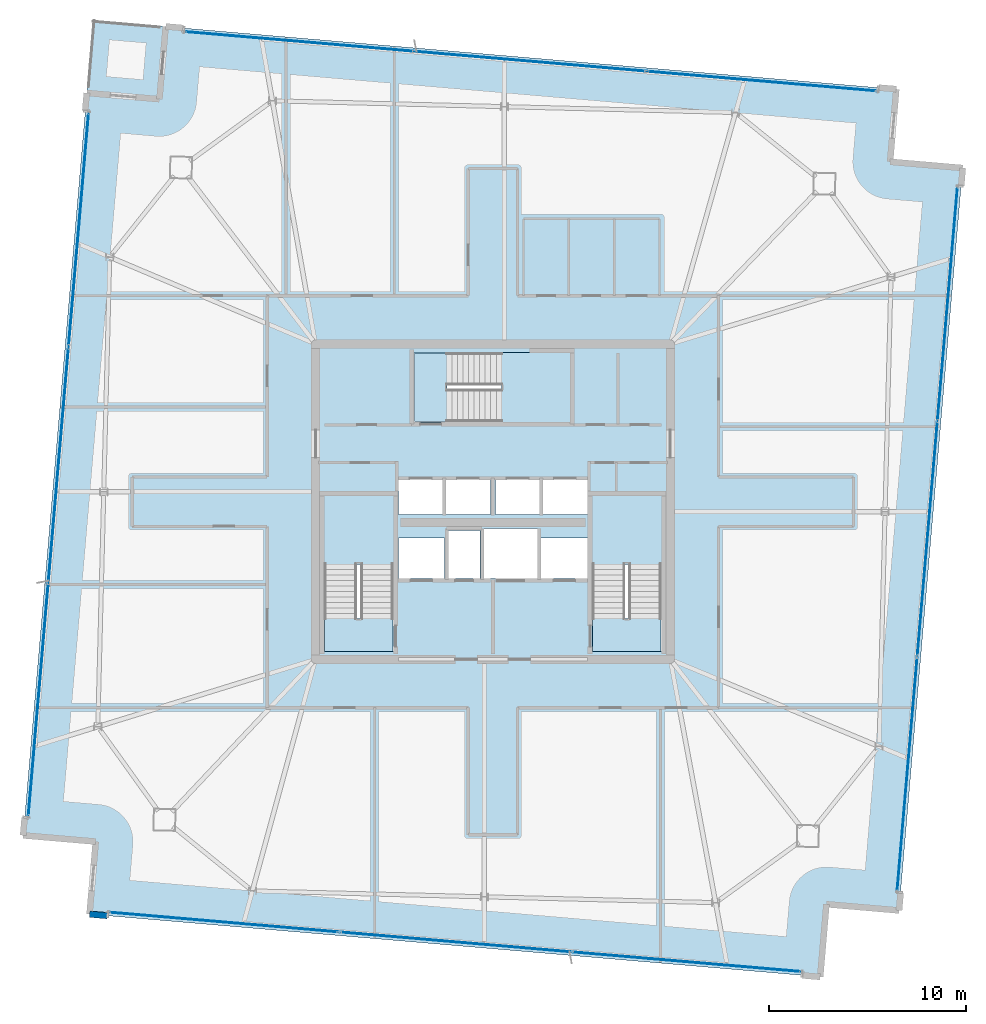
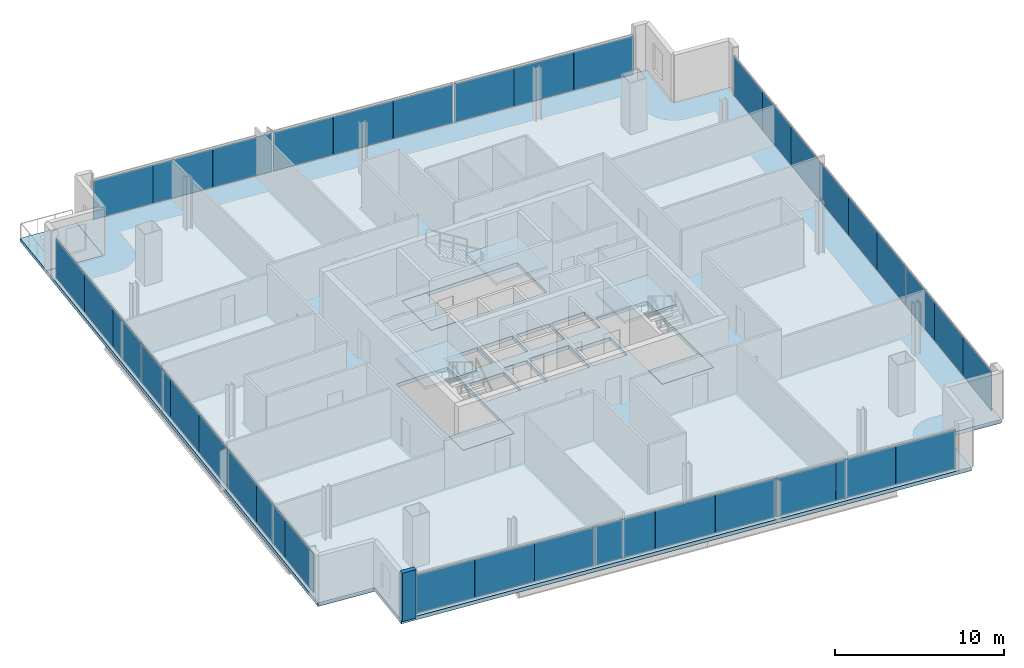
# One storey, part 18 of 24: 36 plates, 8 slabs, 1 wall, 7 elements without a shape of their own.
"""IFC4 building model written with IfcOpenShell, lengths in metres."""

from ifc_helpers import new_model, si_unit, direction, frame, frame_2d, origin, origin_2d, place, context, subcontext, project, spatial, polyline, rectangle, outline, extrude, source, transform, mapped, material, layer, layer_set, type_object, element, aggregate, save


model = new_model("IFC4")

# Units and contexts
model_context = context("Model", 3, precision=1e-05, world=origin(), true_north=direction((0.0, 1.0)))
body_context = subcontext(model_context, "Body", "Model", "MODEL_VIEW")
ifc_project = project(units=[si_unit("LENGTHUNIT", "METRE"), si_unit("AREAUNIT", "SQUARE_METRE"), si_unit("VOLUMEUNIT", "CUBIC_METRE"), si_unit("PLANEANGLEUNIT", "RADIAN"), si_unit("MASSUNIT", "GRAM", prefix="KILO")], contexts=[model_context])

# Site, building, storey
site_placement = place(None, origin())
site = spatial("IfcSite", under=ifc_project, at=site_placement, CompositionType="ELEMENT")
building_placement = place(site_placement, origin())
building = spatial("IfcBuilding", under=site, at=building_placement, Name="Haldenkirk Collegiate Tower", CompositionType="ELEMENT")
storey_placement = place(building_placement, frame((0.0, 0.0, 313.949951171875)))
storey = spatial("IfcBuildingStorey", under=building, at=storey_placement, Name="L79", CompositionType="ELEMENT", Elevation=313.949951171875)

# Slab
ifc_material_1 = material(Name="Concrete f'c 40 MPa", Category="concrete")
ifc_layer_1 = layer(ifc_material_1, 0.260009765625)
ifc_layer_set_1 = layer_set([ifc_layer_1], Name="Concrete f'c 40 MPa")
slab_type_1 = type_object("IfcSlabType", Name="SLB-FLR-260", PredefinedType="FLOOR", material=ifc_layer_set_1)
slab_1_placement = place(storey_placement, frame((0.0, 0.0, -0.260009765625)))
element("IfcSlab", 1, at=slab_1_placement, inside=storey, type_object=slab_type_1, Name="L79 composite structural floor slab", PredefinedType="FLOOR", context=body_context, shape_type="SweptSolid", body=[
    extrude(outline(polyline([(56.60400390625, 5.264404296875), (59.8330078125, 42.926025390625), (56.146484375, 43.2421875), (56.46240234375, 46.9287109375), (19.3984375, 50.106201171875), (19.08251953125, 46.419677734375), (15.39599609375, 46.735595703125), (12.1669921875, 9.073974609375), (15.853515625, 8.7578125), (15.53759765625, 5.0712890625), (52.6015625, 1.893798828125), (52.91748046875, 5.580322265625), (56.60400390625, 5.264404296875)]), holes=[polyline([(27.449951171875, 18.39990234375), (30.949951171875, 18.39990234375), (30.949951171875, 26.300048828125), (27.449951171875, 26.300048828125), (27.449951171875, 18.39990234375)]), polyline([(41.050048828125, 18.39990234375), (44.550048828125, 18.39990234375), (44.550048828125, 26.300048828125), (41.050048828125, 26.300048828125), (41.050048828125, 18.39990234375)]), polyline([(32.0, 30.050048828125), (39.89990234375, 30.050048828125), (39.89990234375, 33.550048828125), (32.0, 33.550048828125), (32.0, 30.050048828125)]), polyline([(33.75, 22.10009765625), (35.35009765625, 22.10009765625), (35.35009765625, 24.550048828125), (33.75, 24.550048828125), (33.75, 22.10009765625)]), polyline([(31.199951171875, 25.35009765625), (33.47998046875, 25.35009765625), (33.47998046875, 27.14990234375), (31.199951171875, 27.14990234375), (31.199951171875, 25.35009765625)]), polyline([(33.60009765625, 25.35009765625), (35.8798828125, 25.35009765625), (35.8798828125, 27.14990234375), (33.60009765625, 27.14990234375), (33.60009765625, 25.35009765625)]), polyline([(36.1201171875, 25.35009765625), (38.39990234375, 25.35009765625), (38.39990234375, 27.14990234375), (36.1201171875, 27.14990234375), (36.1201171875, 25.35009765625)]), polyline([(38.52001953125, 25.35009765625), (40.800048828125, 25.35009765625), (40.800048828125, 27.14990234375), (38.52001953125, 27.14990234375), (38.52001953125, 25.35009765625)]), polyline([(31.199951171875, 22.10009765625), (33.550048828125, 22.10009765625), (33.550048828125, 24.14990234375), (31.199951171875, 24.14990234375), (31.199951171875, 22.10009765625)]), polyline([(38.449951171875, 22.10009765625), (40.800048828125, 22.10009765625), (40.800048828125, 24.14990234375), (38.449951171875, 24.14990234375), (38.449951171875, 22.10009765625)]), polyline([(35.550048828125, 22.10009765625), (38.25, 22.10009765625), (38.25, 24.64990234375), (35.550048828125, 24.64990234375), (35.550048828125, 22.10009765625)])]), origin(), (0.0, 0.0, 1.0), 0.260009765625),
])

# Stair, slab
stair_type = type_object("IfcStairType", Name="STR-DOGLEG-1650", PredefinedType="HALF_TURN_STAIR", material=ifc_material_1)
stair_1_placement = place(storey_placement, origin())
stair_1 = element("IfcStair", 2, at=stair_1_placement, inside=storey, type_object=stair_type, Name="L79 Core Exit Stair ST-1", PredefinedType="HALF_TURN_STAIR")
ifc_layer_2 = layer(ifc_material_1, 0.199951171875)
ifc_layer_set_2 = layer_set([ifc_layer_2], Name="Concrete f'c 40 MPa")
slab_type_2 = type_object("IfcSlabType", Name="SLB-LANDING-200", PredefinedType="LANDING", material=ifc_layer_set_2)
slab_2_placement = place(storey_placement, frame((0.0, 0.0, 1.675048828125)))
slab_2 = element("IfcSlab", 3, at=slab_2_placement, type_object=slab_type_2, Name="ST-1 landing 1", PredefinedType="LANDING", context=body_context, shape_type="SweptSolid", body=[
    extrude(outline(polyline([(30.97509765625, 22.824951171875), (27.425048828125, 22.824951171875), (27.425048828125, 26.324951171875), (30.97509765625, 26.324951171875), (30.97509765625, 22.824951171875)])), origin(), (0.0, 0.0, 1.0), 0.199951171875),
])
aggregate(stair_1, [slab_2])

stair_2_placement = place(storey_placement, origin())
stair_2 = element("IfcStair", 4, at=stair_2_placement, inside=storey, type_object=stair_type, Name="L79 Core Exit Stair ST-2", PredefinedType="HALF_TURN_STAIR")
slab_3_placement = place(storey_placement, frame((0.0, 0.0, 1.675048828125)))
slab_3 = element("IfcSlab", 5, at=slab_3_placement, type_object=slab_type_2, Name="ST-2 landing 1", PredefinedType="LANDING", context=body_context, shape_type="SweptSolid", body=[
    extrude(outline(polyline([(44.574951171875, 22.824951171875), (41.02490234375, 22.824951171875), (41.02490234375, 26.324951171875), (44.574951171875, 26.324951171875), (44.574951171875, 22.824951171875)])), origin(), (0.0, 0.0, 1.0), 0.199951171875),
])
aggregate(stair_2, [slab_3])

stair_3_placement = place(storey_placement, origin())
stair_3 = element("IfcStair", 6, at=stair_3_placement, inside=storey, type_object=stair_type, Name="L79 Core Exit Stair ST-3", PredefinedType="HALF_TURN_STAIR")
slab_4_placement = place(storey_placement, frame((0.0, 0.0, 1.675048828125)))
slab_4 = element("IfcSlab", 7, at=slab_4_placement, type_object=slab_type_2, Name="ST-3 landing 1", PredefinedType="LANDING", context=body_context, shape_type="SweptSolid", body=[
    extrude(outline(polyline([(36.425048828125, 30.02490234375), (36.425048828125, 33.574951171875), (39.925048828125, 33.574951171875), (39.925048828125, 30.02490234375), (36.425048828125, 30.02490234375)])), origin(), (0.0, 0.0, 1.0), 0.199951171875),
])
aggregate(stair_3, [slab_4])

# Slabs
ifc_layer_3 = layer(ifc_material_1, 0.25)
ifc_layer_set_3 = layer_set([ifc_layer_3], Name="Concrete f'c 40 MPa")
slab_type_3 = type_object("IfcSlabType", Name="SLB-STAIRLAND-250", PredefinedType="LANDING", material=ifc_layer_set_3)
slab_5_placement = place(storey_placement, frame((0.0, 0.0, -0.25)))
element("IfcSlab", 8, at=slab_5_placement, inside=storey, type_object=slab_type_3, Name="L79 stair ST1 structural floor landing slab", PredefinedType="LANDING", context=body_context, shape_type="SweptSolid", body=[
    extrude(outline(polyline([(27.4599609375, 18.409912109375), (30.93994140625, 18.409912109375), (30.93994140625, 20.080078125), (27.4599609375, 20.080078125), (27.4599609375, 18.409912109375)])), origin(), (0.0, 0.0, 1.0), 0.25),
])
slab_6_placement = place(storey_placement, frame((0.0, 0.0, -0.25)))
element("IfcSlab", 9, at=slab_6_placement, inside=storey, type_object=slab_type_3, Name="L79 stair ST2 structural floor landing slab", PredefinedType="LANDING", context=body_context, shape_type="SweptSolid", body=[
    extrude(outline(polyline([(41.06005859375, 18.409912109375), (44.5400390625, 18.409912109375), (44.5400390625, 20.080078125), (41.06005859375, 20.080078125), (41.06005859375, 18.409912109375)])), origin(), (0.0, 0.0, 1.0), 0.25),
])
slab_7_placement = place(storey_placement, frame((0.0, 0.0, -0.25)))
element("IfcSlab", 10, at=slab_7_placement, inside=storey, type_object=slab_type_3, Name="L79 stair ST3 structural floor landing slab", PredefinedType="LANDING", context=body_context, shape_type="SweptSolid", body=[
    extrude(outline(polyline([(32.010009765625, 30.06005859375), (33.679931640625, 30.06005859375), (33.679931640625, 33.5400390625), (32.010009765625, 33.5400390625), (32.010009765625, 30.06005859375)])), origin(), (0.0, 0.0, 1.0), 0.25),
])
ifc_layer_4 = layer(ifc_material_1, 0.22998046875)
ifc_layer_set_4 = layer_set([ifc_layer_4], Name="Concrete f'c 40 MPa")
slab_type_4 = type_object("IfcSlabType", Name="SLB-TERR-SPIRAL-230", PredefinedType="FLOOR", material=ifc_layer_set_4)
slab_8_placement = place(storey_placement, frame((0.0, 0.0, -0.22998046875)))
element("IfcSlab", 11, at=slab_8_placement, inside=storey, type_object=slab_type_4, Name="L79 spiralling corner terrace slab", PredefinedType="FLOOR", context=body_context, shape_type="SweptSolid", body=[
    extrude(outline(polyline([(19.08251953125, 46.419677734375), (19.3984375, 50.106201171875), (15.7119140625, 50.422119140625), (15.39599609375, 46.735595703125), (19.08251953125, 46.419677734375)])), origin(), (0.0, 0.0, 1.0), 0.22998046875),
])

# Curtain wall, plates
ifc_material_2 = material(Name="Anodised architectural bronze aluminium", Category="aluminium")
curtain_wall_type_1 = type_object("IfcCurtainWallType", Name="CW-SYS2-CONCAVE", PredefinedType="USERDEFINED", material=ifc_material_2)
curtain_wall_1_placement = place(storey_placement, origin())
curtain_wall_1 = element("IfcCurtainWall", 12, at=curtain_wall_1_placement, inside=storey, type_object=curtain_wall_type_1, Name="L79 South concave recessed bronze-anodised curtain wall", ObjectType="UNITISED CURTAIN WALL", PredefinedType="USERDEFINED")
ifc_material_3 = material(Name="Bronze-anodised insulated aluminium spandrel panel", Category="aluminium")
ifc_layer_5 = layer(ifc_material_3, 0.0419921875)
ifc_layer_set_5 = layer_set([ifc_layer_5], Name="Bronze-anodised insulated aluminium spandrel panel")
plate_type_1 = type_object("IfcPlateType", Name="CW-SPD-02", PredefinedType="CURTAIN_PANEL", material=ifc_layer_set_5)
shared_shape_1 = source(origin(), body_context, "Body", "SweptSolid", [
    extrude(rectangle(XDim=3.96240234375, YDim=0.0419921875, at=origin_2d()), origin(), (0.0, 0.0, 1.0), 2.798095703125),
])
plate_1_placement = place(storey_placement, frame((58.37939453125, 28.077392578125, 0.0751953125), z_axis=(0.0, 0.0, 1.0), x_axis=(-0.085416741017, -0.996345311804, 0.0)))
plate_1 = element("IfcPlate", 13, at=plate_1_placement, type_object=plate_type_1, Name="CW-02 spandrel panel 2.1a", PredefinedType="CURTAIN_PANEL", context=body_context, shape_type="MappedRepresentation", body=[
    mapped(shared_shape_1, transform((0.0, 0.0, 0.0), x_axis=(1.0, 0.0, 0.0), y_axis=(0.0, 1.0, 0.0), z_axis=(0.0, 0.0, 1.0), scale=1.0)),
])
plate_2_placement = place(storey_placement, frame((57.69921875, 20.143798828125, 0.0751953125), z_axis=(0.0, 0.0, 1.0), x_axis=(-0.085416741017, -0.996345311804, 0.0)))
plate_2 = element("IfcPlate", 14, at=plate_2_placement, type_object=plate_type_1, Name="CW-02 spandrel panel 2.1c", PredefinedType="CURTAIN_PANEL", context=body_context, shape_type="MappedRepresentation", body=[
    mapped(shared_shape_1, transform((0.0, 0.0, 0.0), x_axis=(1.0, 0.0, 0.0), y_axis=(0.0, 1.0, 0.0), z_axis=(0.0, 0.0, 1.0), scale=1.0)),
])
ifc_material_4 = material(Name="Low-E argon triple insulating glass", Category="glass")
ifc_layer_6 = layer(ifc_material_4, 0.0419921875)
ifc_layer_set_6 = layer_set([ifc_layer_6], Name="Low-E argon triple insulating glass")
plate_type_2 = type_object("IfcPlateType", Name="CW-PNL-02", PredefinedType="CURTAIN_PANEL", material=ifc_layer_set_6)
shared_shape_2 = source(origin(), body_context, "Body", "SweptSolid", [
    extrude(rectangle(XDim=3.949951171875, YDim=0.0419921875, at=origin_2d()), origin(), (0.0, 0.0, 1.0), 2.798095703125),
])
plate_3_placement = place(storey_placement, frame((59.401611328125, 40.002197265625, 0.0751953125), z_axis=(0.0, 0.0, 1.0), x_axis=(-0.085416741017, -0.996345311804, 0.0)))
plate_3 = element("IfcPlate", 15, at=plate_3_placement, type_object=plate_type_2, Name="CW-02 panel 1.1a", PredefinedType="CURTAIN_PANEL", context=body_context, shape_type="MappedRepresentation", body=[
    mapped(shared_shape_2, transform((0.0, 0.0, 0.0), x_axis=(1.0, 0.0, 0.0), y_axis=(0.0, 1.0, 0.0), z_axis=(0.0, 0.0, 1.0), scale=1.0)),
])
plate_4_placement = place(storey_placement, frame((58.7236328125, 32.09375, 0.0751953125), z_axis=(0.0, 0.0, 1.0), x_axis=(-0.085416741017, -0.996345311804, 0.0)))
plate_4 = element("IfcPlate", 16, at=plate_4_placement, type_object=plate_type_1, Name="CW-02 spandrel panel 1.1c", PredefinedType="CURTAIN_PANEL", context=body_context, shape_type="MappedRepresentation", body=[
    mapped(shared_shape_2, transform((0.0, 0.0, 0.0), x_axis=(1.0, 0.0, 0.0), y_axis=(0.0, 1.0, 0.0), z_axis=(0.0, 0.0, 1.0), scale=1.0)),
])
plate_5_placement = place(storey_placement, frame((58.039306640625, 24.110595703125, 0.0751953125), z_axis=(0.0, 0.0, 1.0), x_axis=(-0.085416741017, -0.996345311804, 0.0)))
plate_5 = element("IfcPlate", 17, at=plate_5_placement, type_object=plate_type_2, Name="CW-02 panel 2.1b", PredefinedType="CURTAIN_PANEL", context=body_context, shape_type="MappedRepresentation", body=[
    mapped(shared_shape_2, transform((0.0, 0.0, 0.0), x_axis=(1.0, 0.0, 0.0), y_axis=(0.0, 1.0, 0.0), z_axis=(0.0, 0.0, 1.0), scale=1.0)),
])
plate_6_placement = place(storey_placement, frame((57.354736328125, 16.12744140625, 0.0751953125), z_axis=(0.0, 0.0, 1.0), x_axis=(-0.085416741017, -0.996345311804, 0.0)))
plate_6 = element("IfcPlate", 18, at=plate_6_placement, type_object=plate_type_1, Name="CW-02 spandrel panel 3.1a", PredefinedType="CURTAIN_PANEL", context=body_context, shape_type="MappedRepresentation", body=[
    mapped(shared_shape_2, transform((0.0, 0.0, 0.0), x_axis=(1.0, 0.0, 0.0), y_axis=(0.0, 1.0, 0.0), z_axis=(0.0, 0.0, 1.0), scale=1.0)),
])
plate_7_placement = place(storey_placement, frame((56.6767578125, 8.218994140625, 0.0751953125), z_axis=(0.0, 0.0, 1.0), x_axis=(-0.085416741017, -0.996345311804, 0.0)))
plate_7 = element("IfcPlate", 19, at=plate_7_placement, type_object=plate_type_2, Name="CW-02 panel 3.1c", PredefinedType="CURTAIN_PANEL", context=body_context, shape_type="MappedRepresentation", body=[
    mapped(shared_shape_2, transform((0.0, 0.0, 0.0), x_axis=(1.0, 0.0, 0.0), y_axis=(0.0, 1.0, 0.0), z_axis=(0.0, 0.0, 1.0), scale=1.0)),
])

curtain_wall_type_2 = type_object("IfcCurtainWallType", Name="CW-SYS1B-CONVEX-HI", PredefinedType="USERDEFINED", material=ifc_material_2)
curtain_wall_2_placement = place(storey_placement, origin())
curtain_wall_2 = element("IfcCurtainWall", 20, at=curtain_wall_2_placement, inside=storey, type_object=curtain_wall_type_2, Name="L79 Upper tower high-wind convex bronze unitised curtain wall", ObjectType="UNITISED CURTAIN WALL", PredefinedType="USERDEFINED")
ifc_layer_7 = layer(ifc_material_3, 0.048095703125)
ifc_layer_set_7 = layer_set([ifc_layer_7], Name="Bronze-anodised insulated aluminium spandrel panel")
plate_type_3 = type_object("IfcPlateType", Name="CW-SPD-1B", PredefinedType="CURTAIN_PANEL", material=ifc_layer_set_7)
shared_shape_3 = source(origin(), body_context, "Body", "SweptSolid", [
    extrude(rectangle(XDim=3.892578125, YDim=0.048095703125, at=origin_2d()), origin(), (0.0, 0.0, 1.0), 2.778076171875),
])
plate_8_placement = place(storey_placement, frame((34.01806640625, 48.672119140625, 0.0849609375), z_axis=(0.0, 0.0, 1.0), x_axis=(0.996345192973, -0.085418127117, 0.0)))
plate_8 = element("IfcPlate", 21, at=plate_8_placement, type_object=plate_type_3, Name="CW-1B spandrel panel 2.1a", PredefinedType="CURTAIN_PANEL", context=body_context, shape_type="MappedRepresentation", body=[
    mapped(shared_shape_3, transform((0.0, 0.0, 0.0), x_axis=(1.0, 0.0, 0.0), y_axis=(0.0, 1.0, 0.0), z_axis=(0.0, 0.0, 1.0), scale=1.0)),
])
plate_9_placement = place(storey_placement, frame((41.81201171875, 48.00390625, 0.0849609375), z_axis=(0.0, 0.0, 1.0), x_axis=(0.996345192973, -0.085418127117, 0.0)))
plate_9 = element("IfcPlate", 22, at=plate_9_placement, type_object=plate_type_3, Name="CW-1B spandrel panel 2.1c", PredefinedType="CURTAIN_PANEL", context=body_context, shape_type="MappedRepresentation", body=[
    mapped(shared_shape_3, transform((0.0, 0.0, 0.0), x_axis=(1.0, 0.0, 0.0), y_axis=(0.0, 1.0, 0.0), z_axis=(0.0, 0.0, 1.0), scale=1.0)),
])

curtain_wall_3_placement = place(storey_placement, origin())
curtain_wall_3 = element("IfcCurtainWall", 23, at=curtain_wall_3_placement, inside=storey, type_object=curtain_wall_type_2, Name="L79 Upper tower high-wind convex bronze unitised curtain wall", ObjectType="UNITISED CURTAIN WALL", PredefinedType="USERDEFINED")
plate_10_placement = place(storey_placement, frame((37.98193359375, 3.327880859375, 0.0849609375), z_axis=(0.0, 0.0, 1.0), x_axis=(-0.996345192973, 0.085418127117, 0.0)))
plate_10 = element("IfcPlate", 24, at=plate_10_placement, type_object=plate_type_3, Name="CW-1B spandrel panel 2.1a", PredefinedType="CURTAIN_PANEL", context=body_context, shape_type="MappedRepresentation", body=[
    mapped(shared_shape_3, transform((0.0, 0.0, 0.0), x_axis=(1.0, 0.0, 0.0), y_axis=(0.0, 1.0, 0.0), z_axis=(0.0, 0.0, 1.0), scale=1.0)),
])
plate_11_placement = place(storey_placement, frame((30.18798828125, 3.99609375, 0.0849609375), z_axis=(0.0, 0.0, 1.0), x_axis=(-0.996345192973, 0.085418127117, 0.0)))
plate_11 = element("IfcPlate", 25, at=plate_11_placement, type_object=plate_type_3, Name="CW-1B spandrel panel 2.1c", PredefinedType="CURTAIN_PANEL", context=body_context, shape_type="MappedRepresentation", body=[
    mapped(shared_shape_3, transform((0.0, 0.0, 0.0), x_axis=(1.0, 0.0, 0.0), y_axis=(0.0, 1.0, 0.0), z_axis=(0.0, 0.0, 1.0), scale=1.0)),
])

# Plate
ifc_layer_8 = layer(ifc_material_4, 0.048095703125)
ifc_layer_set_8 = layer_set([ifc_layer_8], Name="Low-E argon triple insulating glass")
plate_type_4 = type_object("IfcPlateType", Name="CW-PNL-1B", PredefinedType="CURTAIN_PANEL", material=ifc_layer_set_8)
shared_shape_4 = source(origin(), body_context, "Body", "SweptSolid", [
    extrude(rectangle(XDim=3.8798828125, YDim=0.048095703125, at=origin_2d()), origin(), (0.0, 0.0, 1.0), 2.778076171875),
])
plate_12_placement = place(storey_placement, frame((37.9150390625, 48.338134765625, 0.0849609375), z_axis=(0.0, 0.0, 1.0), x_axis=(0.996345192973, -0.085418127117, 0.0)))
plate_12 = element("IfcPlate", 26, at=plate_12_placement, type_object=plate_type_4, Name="CW-1B panel 2.1b", PredefinedType="CURTAIN_PANEL", context=body_context, shape_type="MappedRepresentation", body=[
    mapped(shared_shape_4, transform((0.0, 0.0, 0.0), x_axis=(1.0, 0.0, 0.0), y_axis=(0.0, 1.0, 0.0), z_axis=(0.0, 0.0, 1.0), scale=1.0)),
])

plate_13_placement = place(storey_placement, frame((34.0849609375, 3.661865234375, 0.0849609375), z_axis=(0.0, 0.0, 1.0), x_axis=(-0.996345192973, 0.085418127117, 0.0)))
plate_13 = element("IfcPlate", 27, at=plate_13_placement, type_object=plate_type_4, Name="CW-1B panel 2.1b", PredefinedType="CURTAIN_PANEL", context=body_context, shape_type="MappedRepresentation", body=[
    mapped(shared_shape_4, transform((0.0, 0.0, 0.0), x_axis=(1.0, 0.0, 0.0), y_axis=(0.0, 1.0, 0.0), z_axis=(0.0, 0.0, 1.0), scale=1.0)),
])

# Curtain wall, plates
curtain_wall_4_placement = place(storey_placement, origin())
curtain_wall_4 = element("IfcCurtainWall", 28, at=curtain_wall_4_placement, inside=storey, type_object=curtain_wall_type_2, Name="L79 Upper tower high-wind convex bronze unitised curtain wall", ObjectType="UNITISED CURTAIN WALL", PredefinedType="USERDEFINED")
shared_shape_5 = source(origin(), body_context, "Body", "SweptSolid", [
    extrude(rectangle(XDim=3.959228515625, YDim=0.048095703125, at=origin_2d()), origin(), (0.0, 0.0, 1.0), 2.778076171875),
])
plate_14_placement = place(storey_placement, frame((13.62109375, 23.926025390625, 0.0849609375), z_axis=(0.0, 0.0, 1.0), x_axis=(0.085416741017, 0.996345311804, 0.0)))
plate_14 = element("IfcPlate", 29, at=plate_14_placement, type_object=plate_type_3, Name="CW-1B spandrel panel 2.1a", PredefinedType="CURTAIN_PANEL", context=body_context, shape_type="MappedRepresentation", body=[
    mapped(shared_shape_5, transform((0.0, 0.0, 0.0), x_axis=(1.0, 0.0, 0.0), y_axis=(0.0, 1.0, 0.0), z_axis=(0.0, 0.0, 1.0), scale=1.0)),
])
plate_15_placement = place(storey_placement, frame((14.300537109375, 31.852783203125, 0.0849609375), z_axis=(0.0, 0.0, 1.0), x_axis=(0.085416741017, 0.996345311804, 0.0)))
plate_15 = element("IfcPlate", 30, at=plate_15_placement, type_object=plate_type_3, Name="CW-1B spandrel panel 2.1c", PredefinedType="CURTAIN_PANEL", context=body_context, shape_type="MappedRepresentation", body=[
    mapped(shared_shape_5, transform((0.0, 0.0, 0.0), x_axis=(1.0, 0.0, 0.0), y_axis=(0.0, 1.0, 0.0), z_axis=(0.0, 0.0, 1.0), scale=1.0)),
])
shared_shape_6 = source(origin(), body_context, "Body", "SweptSolid", [
    extrude(rectangle(XDim=3.94677734375, YDim=0.048095703125, at=origin_2d()), origin(), (0.0, 0.0, 1.0), 2.778076171875),
])
plate_16_placement = place(storey_placement, frame((13.960693359375, 27.889404296875, 0.0849609375), z_axis=(0.0, 0.0, 1.0), x_axis=(0.085416741017, 0.996345311804, 0.0)))
plate_16 = element("IfcPlate", 31, at=plate_16_placement, type_object=plate_type_4, Name="CW-1B panel 2.1b", PredefinedType="CURTAIN_PANEL", context=body_context, shape_type="MappedRepresentation", body=[
    mapped(shared_shape_6, transform((0.0, 0.0, 0.0), x_axis=(1.0, 0.0, 0.0), y_axis=(0.0, 1.0, 0.0), z_axis=(0.0, 0.0, 1.0), scale=1.0)),
])

# Plate
shared_shape_7 = source(origin(), body_context, "Body", "SweptSolid", [
    extrude(rectangle(XDim=3.9375, YDim=0.0419921875, at=origin_2d()), origin(), (0.0, 0.0, 1.0), 2.798095703125),
])
plate_17_placement = place(storey_placement, frame((59.0625, 36.048095703125, 0.0751953125), z_axis=(0.0, 0.0, 1.0), x_axis=(-0.085416741017, -0.996345311804, 0.0)))
plate_17 = element("IfcPlate", 32, at=plate_17_placement, type_object=plate_type_2, Name="CW-02 panel 1.1b", PredefinedType="CURTAIN_PANEL", context=body_context, shape_type="MappedRepresentation", body=[
    mapped(shared_shape_7, transform((0.0, 0.0, 0.0), x_axis=(1.0, 0.0, 0.0), y_axis=(0.0, 1.0, 0.0), z_axis=(0.0, 0.0, 1.0), scale=1.0)),
])

plate_18_placement = place(storey_placement, frame((57.015869140625, 12.173095703125, 0.0751953125), z_axis=(0.0, 0.0, 1.0), x_axis=(-0.085416741017, -0.996345311804, 0.0)))
plate_18 = element("IfcPlate", 33, at=plate_18_placement, type_object=plate_type_2, Name="CW-02 panel 3.1b", PredefinedType="CURTAIN_PANEL", context=body_context, shape_type="MappedRepresentation", body=[
    mapped(shared_shape_7, transform((0.0, 0.0, 0.0), x_axis=(1.0, 0.0, 0.0), y_axis=(0.0, 1.0, 0.0), z_axis=(0.0, 0.0, 1.0), scale=1.0)),
])

aggregate(curtain_wall_1, [plate_3, plate_17, plate_4, plate_1, plate_5, plate_2, plate_6, plate_18, plate_7])

shared_shape_8 = source(origin(), body_context, "Body", "SweptSolid", [
    extrude(rectangle(XDim=3.945068359375, YDim=0.048095703125, at=origin_2d()), origin(), (0.0, 0.0, 1.0), 2.778076171875),
])
plate_19_placement = place(storey_placement, frame((12.59912109375, 12.005126953125, 0.0849609375), z_axis=(0.0, 0.0, 1.0), x_axis=(0.085416741017, 0.996345311804, 0.0)))
plate_19 = element("IfcPlate", 34, at=plate_19_placement, type_object=plate_type_4, Name="CW-1B panel 1.1a", PredefinedType="CURTAIN_PANEL", context=body_context, shape_type="MappedRepresentation", body=[
    mapped(shared_shape_8, transform((0.0, 0.0, 0.0), x_axis=(1.0, 0.0, 0.0), y_axis=(0.0, 1.0, 0.0), z_axis=(0.0, 0.0, 1.0), scale=1.0)),
])

plate_20_placement = place(storey_placement, frame((13.276123046875, 19.90380859375, 0.0849609375), z_axis=(0.0, 0.0, 1.0), x_axis=(0.085416741017, 0.996345311804, 0.0)))
plate_20 = element("IfcPlate", 35, at=plate_20_placement, type_object=plate_type_3, Name="CW-1B spandrel panel 1.1c", PredefinedType="CURTAIN_PANEL", context=body_context, shape_type="MappedRepresentation", body=[
    mapped(shared_shape_8, transform((0.0, 0.0, 0.0), x_axis=(1.0, 0.0, 0.0), y_axis=(0.0, 1.0, 0.0), z_axis=(0.0, 0.0, 1.0), scale=1.0)),
])

plate_21_placement = place(storey_placement, frame((14.6455078125, 35.875, 0.0849609375), z_axis=(0.0, 0.0, 1.0), x_axis=(0.085416741017, 0.996345311804, 0.0)))
plate_21 = element("IfcPlate", 36, at=plate_21_placement, type_object=plate_type_3, Name="CW-1B spandrel panel 3.1a", PredefinedType="CURTAIN_PANEL", context=body_context, shape_type="MappedRepresentation", body=[
    mapped(shared_shape_8, transform((0.0, 0.0, 0.0), x_axis=(1.0, 0.0, 0.0), y_axis=(0.0, 1.0, 0.0), z_axis=(0.0, 0.0, 1.0), scale=1.0)),
])

plate_22_placement = place(storey_placement, frame((15.322509765625, 43.773681640625, 0.0849609375), z_axis=(0.0, 0.0, 1.0), x_axis=(0.085416741017, 0.996345311804, 0.0)))
plate_22 = element("IfcPlate", 37, at=plate_22_placement, type_object=plate_type_4, Name="CW-1B panel 3.1c", PredefinedType="CURTAIN_PANEL", context=body_context, shape_type="MappedRepresentation", body=[
    mapped(shared_shape_8, transform((0.0, 0.0, 0.0), x_axis=(1.0, 0.0, 0.0), y_axis=(0.0, 1.0, 0.0), z_axis=(0.0, 0.0, 1.0), scale=1.0)),
])

shared_shape_9 = source(origin(), body_context, "Body", "SweptSolid", [
    extrude(rectangle(XDim=3.9326171875, YDim=0.048095703125, at=origin_2d()), origin(), (0.0, 0.0, 1.0), 2.778076171875),
])
plate_23_placement = place(storey_placement, frame((12.9375, 15.954345703125, 0.0849609375), z_axis=(0.0, 0.0, 1.0), x_axis=(0.085416741017, 0.996345311804, 0.0)))
plate_23 = element("IfcPlate", 38, at=plate_23_placement, type_object=plate_type_4, Name="CW-1B panel 1.1b", PredefinedType="CURTAIN_PANEL", context=body_context, shape_type="MappedRepresentation", body=[
    mapped(shared_shape_9, transform((0.0, 0.0, 0.0), x_axis=(1.0, 0.0, 0.0), y_axis=(0.0, 1.0, 0.0), z_axis=(0.0, 0.0, 1.0), scale=1.0)),
])

plate_24_placement = place(storey_placement, frame((14.98388671875, 39.824462890625, 0.0849609375), z_axis=(0.0, 0.0, 1.0), x_axis=(0.085416741017, 0.996345311804, 0.0)))
plate_24 = element("IfcPlate", 39, at=plate_24_placement, type_object=plate_type_4, Name="CW-1B panel 3.1b", PredefinedType="CURTAIN_PANEL", context=body_context, shape_type="MappedRepresentation", body=[
    mapped(shared_shape_9, transform((0.0, 0.0, 0.0), x_axis=(1.0, 0.0, 0.0), y_axis=(0.0, 1.0, 0.0), z_axis=(0.0, 0.0, 1.0), scale=1.0)),
])

aggregate(curtain_wall_4, [plate_19, plate_23, plate_20, plate_14, plate_16, plate_15, plate_21, plate_24, plate_22])

shared_shape_10 = source(origin(), body_context, "Body", "SweptSolid", [
    extrude(rectangle(XDim=3.87841796875, YDim=0.048095703125, at=origin_2d()), origin(), (0.0, 0.0, 1.0), 2.778076171875),
])
plate_25_placement = place(storey_placement, frame((22.29638671875, 49.677001953125, 0.0849609375), z_axis=(0.0, 0.0, 1.0), x_axis=(0.996345192973, -0.085418127117, 0.0)))
plate_25 = element("IfcPlate", 40, at=plate_25_placement, type_object=plate_type_4, Name="CW-1B panel 1.1a", PredefinedType="CURTAIN_PANEL", context=body_context, shape_type="MappedRepresentation", body=[
    mapped(shared_shape_10, transform((0.0, 0.0, 0.0), x_axis=(1.0, 0.0, 0.0), y_axis=(0.0, 1.0, 0.0), z_axis=(0.0, 0.0, 1.0), scale=1.0)),
])

plate_26_placement = place(storey_placement, frame((30.06201171875, 49.01123046875, 0.0849609375), z_axis=(0.0, 0.0, 1.0), x_axis=(0.996345192973, -0.085418127117, 0.0)))
plate_26 = element("IfcPlate", 41, at=plate_26_placement, type_object=plate_type_3, Name="CW-1B spandrel panel 1.1c", PredefinedType="CURTAIN_PANEL", context=body_context, shape_type="MappedRepresentation", body=[
    mapped(shared_shape_10, transform((0.0, 0.0, 0.0), x_axis=(1.0, 0.0, 0.0), y_axis=(0.0, 1.0, 0.0), z_axis=(0.0, 0.0, 1.0), scale=1.0)),
])

plate_27_placement = place(storey_placement, frame((45.767822265625, 47.664794921875, 0.0849609375), z_axis=(0.0, 0.0, 1.0), x_axis=(0.996345192973, -0.085418127117, 0.0)))
plate_27 = element("IfcPlate", 42, at=plate_27_placement, type_object=plate_type_3, Name="CW-1B spandrel panel 3.1a", PredefinedType="CURTAIN_PANEL", context=body_context, shape_type="MappedRepresentation", body=[
    mapped(shared_shape_10, transform((0.0, 0.0, 0.0), x_axis=(1.0, 0.0, 0.0), y_axis=(0.0, 1.0, 0.0), z_axis=(0.0, 0.0, 1.0), scale=1.0)),
])

plate_28_placement = place(storey_placement, frame((53.533447265625, 46.9990234375, 0.0849609375), z_axis=(0.0, 0.0, 1.0), x_axis=(0.996345192973, -0.085418127117, 0.0)))
plate_28 = element("IfcPlate", 43, at=plate_28_placement, type_object=plate_type_4, Name="CW-1B panel 3.1c", PredefinedType="CURTAIN_PANEL", context=body_context, shape_type="MappedRepresentation", body=[
    mapped(shared_shape_10, transform((0.0, 0.0, 0.0), x_axis=(1.0, 0.0, 0.0), y_axis=(0.0, 1.0, 0.0), z_axis=(0.0, 0.0, 1.0), scale=1.0)),
])

plate_29_placement = place(storey_placement, frame((49.70361328125, 2.322998046875, 0.0849609375), z_axis=(0.0, 0.0, 1.0), x_axis=(-0.996345192973, 0.085418127117, 0.0)))
plate_29 = element("IfcPlate", 44, at=plate_29_placement, type_object=plate_type_4, Name="CW-1B panel 1.1a", PredefinedType="CURTAIN_PANEL", context=body_context, shape_type="MappedRepresentation", body=[
    mapped(shared_shape_10, transform((0.0, 0.0, 0.0), x_axis=(1.0, 0.0, 0.0), y_axis=(0.0, 1.0, 0.0), z_axis=(0.0, 0.0, 1.0), scale=1.0)),
])

plate_30_placement = place(storey_placement, frame((41.93798828125, 2.98876953125, 0.0849609375), z_axis=(0.0, 0.0, 1.0), x_axis=(-0.996345192973, 0.085418127117, 0.0)))
plate_30 = element("IfcPlate", 45, at=plate_30_placement, type_object=plate_type_3, Name="CW-1B spandrel panel 1.1c", PredefinedType="CURTAIN_PANEL", context=body_context, shape_type="MappedRepresentation", body=[
    mapped(shared_shape_10, transform((0.0, 0.0, 0.0), x_axis=(1.0, 0.0, 0.0), y_axis=(0.0, 1.0, 0.0), z_axis=(0.0, 0.0, 1.0), scale=1.0)),
])

plate_31_placement = place(storey_placement, frame((26.232177734375, 4.335205078125, 0.0849609375), z_axis=(0.0, 0.0, 1.0), x_axis=(-0.996345192973, 0.085418127117, 0.0)))
plate_31 = element("IfcPlate", 46, at=plate_31_placement, type_object=plate_type_3, Name="CW-1B spandrel panel 3.1a", PredefinedType="CURTAIN_PANEL", context=body_context, shape_type="MappedRepresentation", body=[
    mapped(shared_shape_10, transform((0.0, 0.0, 0.0), x_axis=(1.0, 0.0, 0.0), y_axis=(0.0, 1.0, 0.0), z_axis=(0.0, 0.0, 1.0), scale=1.0)),
])

plate_32_placement = place(storey_placement, frame((18.466552734375, 5.0009765625, 0.0849609375), z_axis=(0.0, 0.0, 1.0), x_axis=(-0.996345192973, 0.085418127117, 0.0)))
plate_32 = element("IfcPlate", 47, at=plate_32_placement, type_object=plate_type_4, Name="CW-1B panel 3.1c", PredefinedType="CURTAIN_PANEL", context=body_context, shape_type="MappedRepresentation", body=[
    mapped(shared_shape_10, transform((0.0, 0.0, 0.0), x_axis=(1.0, 0.0, 0.0), y_axis=(0.0, 1.0, 0.0), z_axis=(0.0, 0.0, 1.0), scale=1.0)),
])

shared_shape_11 = source(origin(), body_context, "Body", "SweptSolid", [
    extrude(rectangle(XDim=3.86572265625, YDim=0.048095703125, at=origin_2d()), origin(), (0.0, 0.0, 1.0), 2.778076171875),
])
plate_33_placement = place(storey_placement, frame((26.17919921875, 49.34423828125, 0.0849609375), z_axis=(0.0, 0.0, 1.0), x_axis=(0.996345192973, -0.085418127117, 0.0)))
plate_33 = element("IfcPlate", 48, at=plate_33_placement, type_object=plate_type_4, Name="CW-1B panel 1.1b", PredefinedType="CURTAIN_PANEL", context=body_context, shape_type="MappedRepresentation", body=[
    mapped(shared_shape_11, transform((0.0, 0.0, 0.0), x_axis=(1.0, 0.0, 0.0), y_axis=(0.0, 1.0, 0.0), z_axis=(0.0, 0.0, 1.0), scale=1.0)),
])

plate_34_placement = place(storey_placement, frame((49.650634765625, 47.33203125, 0.0849609375), z_axis=(0.0, 0.0, 1.0), x_axis=(0.996345192973, -0.085418127117, 0.0)))
plate_34 = element("IfcPlate", 49, at=plate_34_placement, type_object=plate_type_4, Name="CW-1B panel 3.1b", PredefinedType="CURTAIN_PANEL", context=body_context, shape_type="MappedRepresentation", body=[
    mapped(shared_shape_11, transform((0.0, 0.0, 0.0), x_axis=(1.0, 0.0, 0.0), y_axis=(0.0, 1.0, 0.0), z_axis=(0.0, 0.0, 1.0), scale=1.0)),
])

aggregate(curtain_wall_2, [plate_25, plate_33, plate_26, plate_8, plate_12, plate_9, plate_27, plate_34, plate_28])

plate_35_placement = place(storey_placement, frame((45.82080078125, 2.65576171875, 0.0849609375), z_axis=(0.0, 0.0, 1.0), x_axis=(-0.996345192973, 0.085418127117, 0.0)))
plate_35 = element("IfcPlate", 50, at=plate_35_placement, type_object=plate_type_4, Name="CW-1B panel 1.1b", PredefinedType="CURTAIN_PANEL", context=body_context, shape_type="MappedRepresentation", body=[
    mapped(shared_shape_11, transform((0.0, 0.0, 0.0), x_axis=(1.0, 0.0, 0.0), y_axis=(0.0, 1.0, 0.0), z_axis=(0.0, 0.0, 1.0), scale=1.0)),
])

plate_36_placement = place(storey_placement, frame((22.349365234375, 4.66796875, 0.0849609375), z_axis=(0.0, 0.0, 1.0), x_axis=(-0.996345192973, 0.085418127117, 0.0)))
plate_36 = element("IfcPlate", 51, at=plate_36_placement, type_object=plate_type_4, Name="CW-1B panel 3.1b", PredefinedType="CURTAIN_PANEL", context=body_context, shape_type="MappedRepresentation", body=[
    mapped(shared_shape_11, transform((0.0, 0.0, 0.0), x_axis=(1.0, 0.0, 0.0), y_axis=(0.0, 1.0, 0.0), z_axis=(0.0, 0.0, 1.0), scale=1.0)),
])

aggregate(curtain_wall_3, [plate_29, plate_35, plate_30, plate_10, plate_13, plate_11, plate_31, plate_36, plate_32])

# Wall
ifc_material_5 = material(Name="Precast concrete f'c 40 MPa", Category="concrete")
ifc_layer_9 = layer(ifc_material_5, 0.320068359375)
ifc_layer_set_9 = layer_set([ifc_layer_9], Name="Precast concrete f'c 40 MPa")
wall_type = type_object("IfcWallType", Name="WL-EXT-TWR-320", PredefinedType="STANDARD", material=ifc_layer_set_9)
wall_placement = place(storey_placement, frame((16.434326171875, 4.994384765625, 0.0), z_axis=(0.0, 0.0, 1.0), x_axis=(-0.996342691163, 0.085447304034, 0.0)))
element("IfcWall", 52, at=wall_placement, inside=storey, type_object=wall_type, Name="L79 precast corner pier WR", PredefinedType="STANDARD", context=body_context, shape_type="SweptSolid", body=[
    extrude(rectangle(XDim=0.89990234375, YDim=0.320068359375, at=frame_2d((0.449951171875, 0.0))), origin(), (0.0, 0.0, 1.0), 3.489990234375),
])

save(model, "model.ifc")
